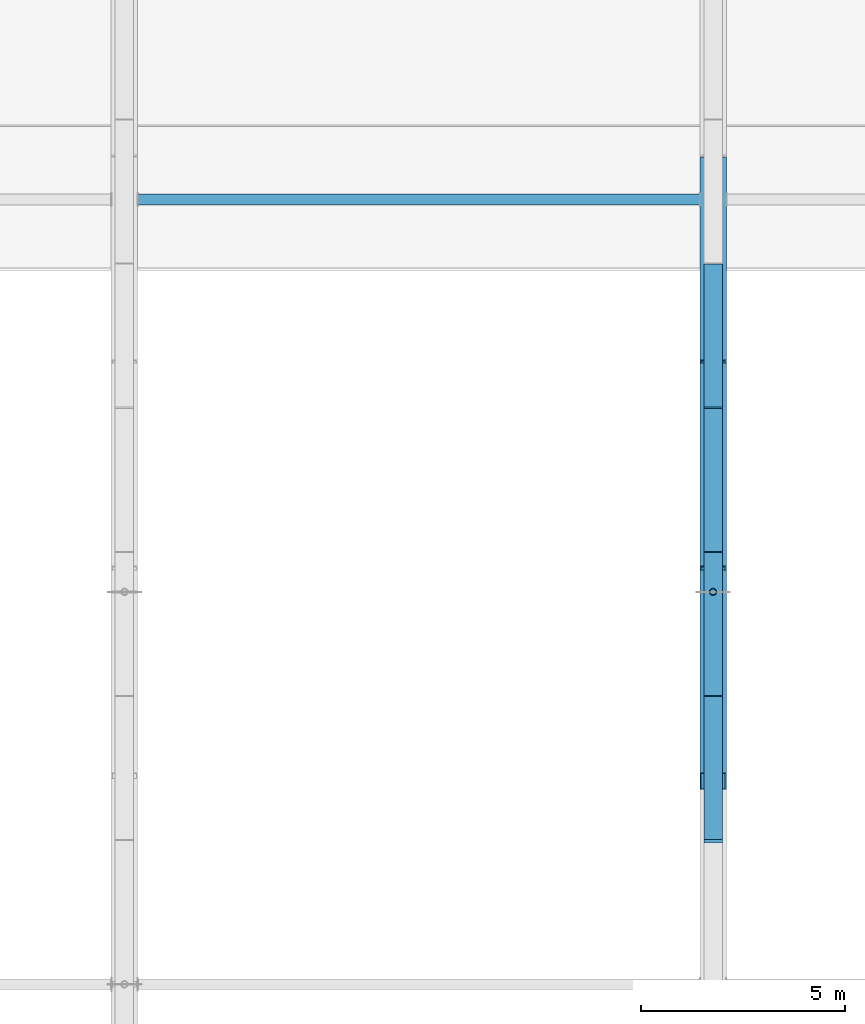
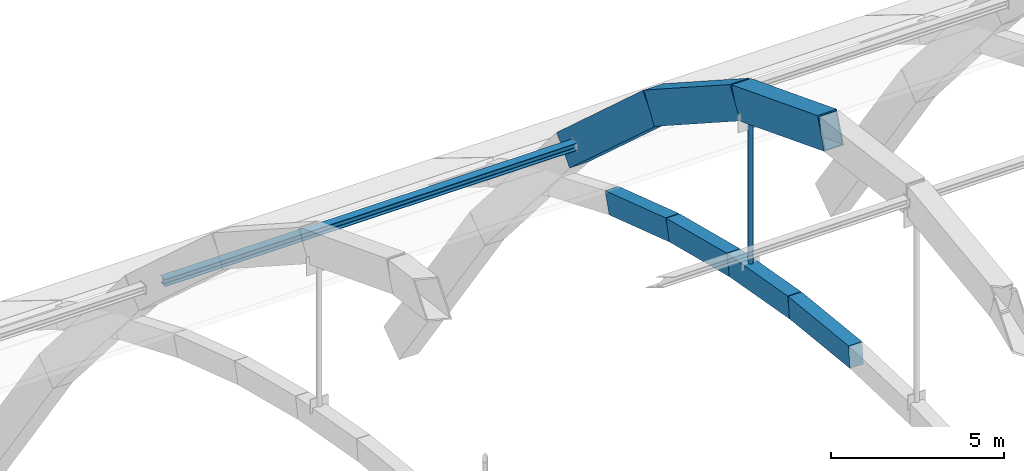
# One storey, part 25 of 64: 5 members, 4 beams.
"""IFC4 building model written with IfcOpenShell, lengths in metres."""

from ifc_helpers import new_model, si_unit, direction, frame, origin, origin_2d, place, context, subcontext, project, spatial, rectangle, hollow_rectangle, hollow_circle, i_section, extrude, material, material_profile, profile_set, type_object, element, save


model = new_model("IFC4")

# Units and contexts
model_context = context("Model", 3, precision=1e-05, world=origin(), true_north=direction((0.0, 1.0)))
body_context = subcontext(model_context, "Body", "Model", "MODEL_VIEW")
ifc_project = project(units=[si_unit("LENGTHUNIT", "METRE"), si_unit("AREAUNIT", "SQUARE_METRE"), si_unit("VOLUMEUNIT", "CUBIC_METRE"), si_unit("PLANEANGLEUNIT", "RADIAN"), si_unit("MASSUNIT", "GRAM", prefix="KILO")], contexts=[model_context])

# Site, building, storey
site_placement = place(None, origin())
site = spatial("IfcSite", under=ifc_project, at=site_placement, CompositionType="ELEMENT")
building_placement = place(site_placement, origin())
building = spatial("IfcBuilding", under=site, at=building_placement, Name="Leyfeld Transit Interchange", CompositionType="ELEMENT")
storey_placement = place(building_placement, frame((0.0, 0.0, 9.60009765625)))
storey = spatial("IfcBuildingStorey", under=building, at=storey_placement, Name="L02", CompositionType="ELEMENT", Elevation=9.60009765625)

# Beams
ifc_material_1 = material(Name="Concrete C40/50", Category="concrete")
ifc_material_profile_1 = material_profile(ifc_material_1, rectangle(XDim=0.449951171875, YDim=0.75, at=origin_2d()), Name="RC 750x450 RIB")
ifc_profile_set_1 = profile_set([ifc_material_profile_1], Name="Concrete C40/50")
beam_type = type_object("IfcBeamType", Name="BM-RIB-750x450", PredefinedType="USERDEFINED", material=ifc_profile_set_1)
beam_1_placement = place(storey_placement, frame((72.0, 35.89990234375, 7.317626953125), z_axis=(0.0, 0.99446241795, -0.105092812723), x_axis=(-1.0, 0.0, 0.0)))
element("IfcBeam", 1, at=beam_1_placement, inside=storey, type_object=beam_type, Name="Concourse Vault Rib A6 Seg 10", ObjectType="ARCH_RIB", PredefinedType="USERDEFINED", context=body_context, shape_type="SweptSolid", body=[
    extrude(rectangle(XDim=0.449951171875, YDim=0.75, at=origin_2d()), origin(), (0.0, 0.0, 1.0), 3.51953125),
])
beam_2_placement = place(storey_placement, frame((72.0, 39.39990234375, 6.94775390625), z_axis=(0.0, 0.984546197367, -0.175125056033), x_axis=(-1.0, 0.0, 0.0)))
element("IfcBeam", 2, at=beam_2_placement, inside=storey, type_object=beam_type, Name="Concourse Vault Rib A6 Seg 11", ObjectType="ARCH_RIB", PredefinedType="USERDEFINED", context=body_context, shape_type="SweptSolid", body=[
    extrude(rectangle(XDim=0.449951171875, YDim=0.75, at=origin_2d()), origin(), (0.0, 0.0, 1.0), 3.554931640625),
])
beam_3_placement = place(storey_placement, frame((72.0, 42.89990234375, 6.3251953125), z_axis=(0.0, 0.969486598247, -0.245144316312), x_axis=(-1.0, 0.0, 0.0)))
element("IfcBeam", 3, at=beam_3_placement, inside=storey, type_object=beam_type, Name="Concourse Vault Rib A6 Seg 12", ObjectType="ARCH_RIB", PredefinedType="USERDEFINED", context=body_context, shape_type="SweptSolid", body=[
    extrude(rectangle(XDim=0.449951171875, YDim=0.75, at=origin_2d()), origin(), (0.0, 0.0, 1.0), 3.610107421875),
])
beam_4_placement = place(storey_placement, frame((72.0, 46.39990234375, 5.440185546875), z_axis=(0.0, 0.949033570575, -0.315175002058), x_axis=(-1.0, 0.0, 0.0)))
element("IfcBeam", 4, at=beam_4_placement, inside=storey, type_object=beam_type, Name="Concourse Vault Rib A6 Seg 13", ObjectType="ARCH_RIB", PredefinedType="USERDEFINED", context=body_context, shape_type="SweptSolid", body=[
    extrude(rectangle(XDim=0.449951171875, YDim=0.75, at=origin_2d()), origin(), (0.0, 0.0, 1.0), 3.68798828125),
])

# Members
ifc_material_2 = material(Name="Steel S355J2 - Ochre Arch", Category="steel")
ifc_material_profile_2 = material_profile(ifc_material_2, hollow_rectangle(XDim=0.64990234375, YDim=1.10009765625, WallThickness=0.035888671875, at=origin_2d()), Name="RHS 1100x650x36")
ifc_profile_set_2 = profile_set([ifc_material_profile_2], Name="Steel S355J2 - Ochre Arch")
member_type_1 = type_object("IfcMemberType", Name="MEM-ARCH-1100", PredefinedType="USERDEFINED", material=ifc_profile_set_2)
member_1_placement = place(storey_placement, frame((72.0, 37.36669921875, 14.358154296875), z_axis=(0.0, 0.932424670612, -0.361364405599), x_axis=(-1.0, 0.0, 0.0)))
element("IfcMember", 5, at=member_1_placement, inside=storey, type_object=member_type_1, Name="Primary Steel Arch AR-05 Seg 8", ObjectType="ARCH_SEGMENT", PredefinedType="USERDEFINED", context=body_context, shape_type="SweptSolid", body=[
    extrude(hollow_rectangle(XDim=0.64990234375, YDim=1.10009765625, WallThickness=0.035888671875, at=origin_2d()), origin(), (0.0, 0.0, 1.0), 5.326416015625),
])
member_2_placement = place(storey_placement, frame((72.0, 42.333251953125, 12.433349609375), z_axis=(0.0, 0.839979785282, -0.542617692596), x_axis=(-1.0, 0.0, 0.0)))
element("IfcMember", 6, at=member_2_placement, inside=storey, type_object=member_type_1, Name="Primary Steel Arch AR-05 Seg 9", ObjectType="ARCH_SEGMENT", PredefinedType="USERDEFINED", context=body_context, shape_type="SweptSolid", body=[
    extrude(hollow_rectangle(XDim=0.64990234375, YDim=1.10009765625, WallThickness=0.035888671875, at=origin_2d()), origin(), (0.0, 0.0, 1.0), 5.9130859375),
])
member_3_placement = place(storey_placement, frame((72.0, 47.300048828125, 9.224853515625), z_axis=(0.0, 0.741673096265, -0.670761521166), x_axis=(-1.0, 0.0, 0.0)))
element("IfcMember", 7, at=member_3_placement, inside=storey, type_object=member_type_1, Name="Primary Steel Arch AR-05 Seg 10", ObjectType="ARCH_SEGMENT", PredefinedType="USERDEFINED", context=body_context, shape_type="SweptSolid", body=[
    extrude(hollow_rectangle(XDim=0.64990234375, YDim=1.10009765625, WallThickness=0.035888671875, at=origin_2d()), origin(), (0.0, 0.0, 1.0), 6.696533203125),
])
ifc_material_3 = material(Name="Steel S355J2", Category="steel")
ifc_material_profile_3 = material_profile(ifc_material_3, i_section(OverallWidth=0.260009765625, OverallDepth=0.260009765625, WebThickness=0.010009765625, FlangeThickness=0.017578125, FilletRadius=0.02392578125, at=origin_2d()), Name="HEB 260")
ifc_profile_set_3 = profile_set([ifc_material_profile_3], Name="Steel S355J2")
member_type_2 = type_object("IfcMemberType", Name="MEM-CHD-HEB260", PredefinedType="CHORD", material=ifc_profile_set_3)
member_4_placement = place(storey_placement, frame((57.925048828125, 51.60009765625, 5.336181640625), z_axis=(1.0, 0.0, 0.0), x_axis=(0.0, 1.0, 0.0)))
element("IfcMember", 8, at=member_4_placement, inside=storey, type_object=member_type_2, Name="Arch Longitudinal Tie Chord B5 T3", PredefinedType="CHORD", context=body_context, shape_type="SweptSolid", body=[
    extrude(i_section(OverallWidth=0.260009765625, OverallDepth=0.260009765625, WebThickness=0.010009765625, FlangeThickness=0.017578125, FilletRadius=0.02392578125, at=origin_2d()), origin(), (0.0, 0.0, 1.0), 13.75),
])
ifc_material_profile_4 = material_profile(ifc_material_3, hollow_circle(Radius=0.084228515625, WallThickness=0.008056640625, at=origin_2d()), Name="CHS 168.3x8")
ifc_profile_set_4 = profile_set([ifc_material_profile_4], Name="Steel S355J2")
member_type_3 = type_object("IfcMemberType", Name="MEM-HGR-168", PredefinedType="USERDEFINED", material=ifc_profile_set_4)
member_5_placement = place(storey_placement, frame((72.0, 42.0, 6.885009765625), z_axis=(0.0, 0.0, 1.0), x_axis=(1.0, 0.0, 0.0)))
element("IfcMember", 9, at=member_5_placement, inside=storey, type_object=member_type_3, Name="Arch Tension Hanger AR-05 H5", ObjectType="SUSPENDER", PredefinedType="USERDEFINED", context=body_context, shape_type="SweptSolid", body=[
    extrude(hollow_circle(Radius=0.084228515625, WallThickness=0.008056640625, at=origin_2d()), origin(), (0.0, 0.0, 1.0), 5.087646484375),
])

save(model, "model.ifc")
